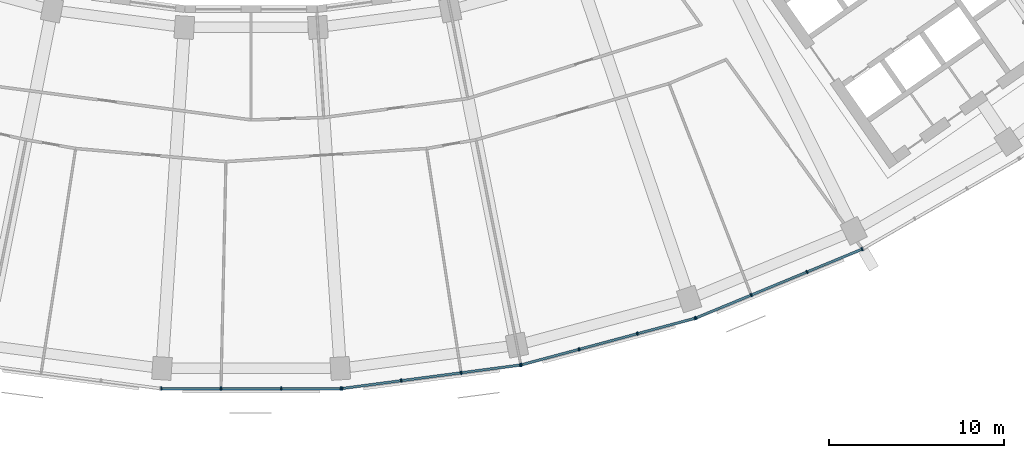
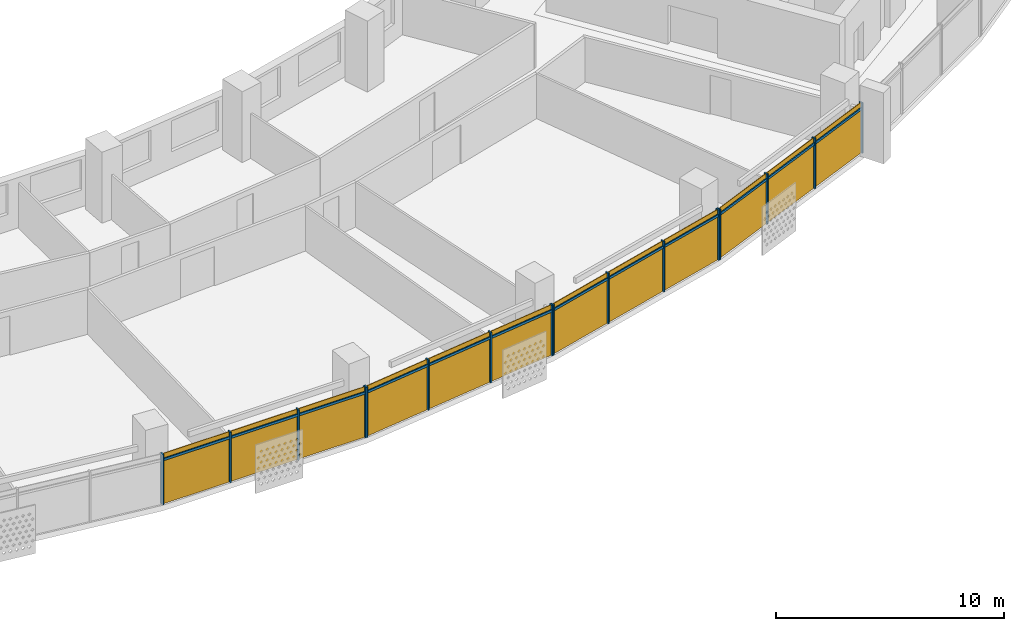
# One storey, part 19 of 27: 28 members, 4 curtain walls.
"""IFC4 building model written with IfcOpenShell, lengths in metres."""

from ifc_helpers import new_model, si_unit, direction, frame, origin, origin_2d, place, context, subcontext, project, spatial, rectangle, extrude, material, material_profile, profile_set, type_object, element, aggregate, save


model = new_model("IFC4")

# Units and contexts
model_context = context("Model", 3, precision=1e-05, world=origin(), true_north=direction((0.0, 1.0)))
body_context = subcontext(model_context, "Body", "Model", "MODEL_VIEW")
ifc_project = project(units=[si_unit("LENGTHUNIT", "METRE"), si_unit("AREAUNIT", "SQUARE_METRE"), si_unit("VOLUMEUNIT", "CUBIC_METRE"), si_unit("PLANEANGLEUNIT", "RADIAN"), si_unit("MASSUNIT", "GRAM", prefix="KILO")], contexts=[model_context])

# Member
ifc_material = material(Name="Aluminium 6063-T6 anodised", Category="aluminium")
ifc_material_profile_1 = material_profile(ifc_material, rectangle(XDim=0.199951171875, YDim=0.070068359375, at=origin_2d()))
ifc_profile_set_1 = profile_set([ifc_material_profile_1], Name="Aluminium 6063-T6 anodised")
member_type_1 = type_object("IfcMemberType", Name="Mullion 70 x 200 aluminium", PredefinedType="MULLION", material=ifc_profile_set_1)
site_placement = place(None, origin())
building_placement = place(site_placement, origin())
storey_placement = place(building_placement, frame((0.0, 0.0, 153.10009765625)))
member_1_placement = place(storey_placement, frame((-5.1318359375, -78.73095703125, 0.0), z_axis=(0.0, 0.0, 1.0), x_axis=(0.0, 1.0, 0.0)))
member_1 = element("IfcMember", 1, at=member_1_placement, type_object=member_type_1, Name="e-cw1-L35-out07/M00", PredefinedType="MULLION", context=body_context, shape_type="SweptSolid", body=[
    extrude(rectangle(XDim=0.199951171875, YDim=0.070068359375, at=origin_2d()), origin(), (0.0, 0.0, 1.0), 2.699951171875),
])

member_2_placement = place(storey_placement, frame((-1.72216796875, -78.73095703125, 0.0), z_axis=(0.0, 0.0, 1.0), x_axis=(0.0, 1.0, 0.0)))
member_2 = element("IfcMember", 2, at=member_2_placement, type_object=member_type_1, Name="e-cw1-L35-out07/M01", PredefinedType="MULLION", context=body_context, shape_type="SweptSolid", body=[
    extrude(rectangle(XDim=0.199951171875, YDim=0.070068359375, at=origin_2d()), origin(), (0.0, 0.0, 1.0), 2.699951171875),
])

member_3_placement = place(storey_placement, frame((1.72216796875, -78.73095703125, 0.0), z_axis=(0.0, 0.0, 1.0), x_axis=(0.0, 1.0, 0.0)))
member_3 = element("IfcMember", 3, at=member_3_placement, type_object=member_type_1, Name="e-cw1-L35-out07/M02", PredefinedType="MULLION", context=body_context, shape_type="SweptSolid", body=[
    extrude(rectangle(XDim=0.199951171875, YDim=0.070068359375, at=origin_2d()), origin(), (0.0, 0.0, 1.0), 2.699951171875),
])

member_4_placement = place(storey_placement, frame((5.1318359375, -78.73095703125, 0.0), z_axis=(0.0, 0.0, 1.0), x_axis=(0.0, 1.0, 0.0)))
member_4 = element("IfcMember", 4, at=member_4_placement, type_object=member_type_1, Name="e-cw1-L35-out07/M03", PredefinedType="MULLION", context=body_context, shape_type="SweptSolid", body=[
    extrude(rectangle(XDim=0.199951171875, YDim=0.070068359375, at=origin_2d()), origin(), (0.0, 0.0, 1.0), 2.699951171875),
])

member_5_placement = place(storey_placement, frame((5.1884765625, -78.72705078125, 0.0), z_axis=(0.0, 0.0, 1.0), x_axis=(-0.13052619222, 0.991444861374, 0.0)))
member_5 = element("IfcMember", 5, at=member_5_placement, type_object=member_type_1, Name="e-cw1-L35-out08/M00", PredefinedType="MULLION", context=body_context, shape_type="SweptSolid", body=[
    extrude(rectangle(XDim=0.199951171875, YDim=0.070068359375, at=origin_2d()), origin(), (0.0, 0.0, 1.0), 2.699951171875),
])

member_6_placement = place(storey_placement, frame((8.56884765625, -78.2822265625, 0.0), z_axis=(0.0, 0.0, 1.0), x_axis=(-0.13052619222, 0.991444861374, 0.0)))
member_6 = element("IfcMember", 6, at=member_6_placement, type_object=member_type_1, Name="e-cw1-L35-out08/M01", PredefinedType="MULLION", context=body_context, shape_type="SweptSolid", body=[
    extrude(rectangle(XDim=0.199951171875, YDim=0.070068359375, at=origin_2d()), origin(), (0.0, 0.0, 1.0), 2.699951171875),
])

member_7_placement = place(storey_placement, frame((11.98388671875, -77.83251953125, 0.0), z_axis=(0.0, 0.0, 1.0), x_axis=(-0.13052619222, 0.991444861374, 0.0)))
member_7 = element("IfcMember", 7, at=member_7_placement, type_object=member_type_1, Name="e-cw1-L35-out08/M02", PredefinedType="MULLION", context=body_context, shape_type="SweptSolid", body=[
    extrude(rectangle(XDim=0.199951171875, YDim=0.070068359375, at=origin_2d()), origin(), (0.0, 0.0, 1.0), 2.699951171875),
])

member_8_placement = place(storey_placement, frame((15.364501953125, -77.387451171875, 0.0), z_axis=(0.0, 0.0, 1.0), x_axis=(-0.13052619222, 0.991444861374, 0.0)))
member_8 = element("IfcMember", 8, at=member_8_placement, type_object=member_type_1, Name="e-cw1-L35-out08/M03", PredefinedType="MULLION", context=body_context, shape_type="SweptSolid", body=[
    extrude(rectangle(XDim=0.199951171875, YDim=0.070068359375, at=origin_2d()), origin(), (0.0, 0.0, 1.0), 2.699951171875),
])

member_9_placement = place(storey_placement, frame((15.420166015625, -77.37646484375, 0.0), z_axis=(0.0, 0.0, 1.0), x_axis=(-0.258819045103, 0.965925826289, 0.0)))
member_9 = element("IfcMember", 9, at=member_9_placement, type_object=member_type_1, Name="e-cw1-L35-out09/M00", PredefinedType="MULLION", context=body_context, shape_type="SweptSolid", body=[
    extrude(rectangle(XDim=0.199951171875, YDim=0.070068359375, at=origin_2d()), origin(), (0.0, 0.0, 1.0), 2.699951171875),
])

member_10_placement = place(storey_placement, frame((18.71337890625, -76.493896484375, 0.0), z_axis=(0.0, 0.0, 1.0), x_axis=(-0.258819045103, 0.965925826289, 0.0)))
member_10 = element("IfcMember", 10, at=member_10_placement, type_object=member_type_1, Name="e-cw1-L35-out09/M01", PredefinedType="MULLION", context=body_context, shape_type="SweptSolid", body=[
    extrude(rectangle(XDim=0.199951171875, YDim=0.070068359375, at=origin_2d()), origin(), (0.0, 0.0, 1.0), 2.699951171875),
])

member_11_placement = place(storey_placement, frame((22.04052734375, -75.602294921875, 0.0), z_axis=(0.0, 0.0, 1.0), x_axis=(-0.258819045103, 0.965925826289, 0.0)))
member_11 = element("IfcMember", 11, at=member_11_placement, type_object=member_type_1, Name="e-cw1-L35-out09/M02", PredefinedType="MULLION", context=body_context, shape_type="SweptSolid", body=[
    extrude(rectangle(XDim=0.199951171875, YDim=0.070068359375, at=origin_2d()), origin(), (0.0, 0.0, 1.0), 2.699951171875),
])

member_12_placement = place(storey_placement, frame((25.333984375, -74.719970703125, 0.0), z_axis=(0.0, 0.0, 1.0), x_axis=(-0.258819045103, 0.965925826289, 0.0)))
member_12 = element("IfcMember", 12, at=member_12_placement, type_object=member_type_1, Name="e-cw1-L35-out09/M03", PredefinedType="MULLION", context=body_context, shape_type="SweptSolid", body=[
    extrude(rectangle(XDim=0.199951171875, YDim=0.070068359375, at=origin_2d()), origin(), (0.0, 0.0, 1.0), 2.699951171875),
])

member_13_placement = place(storey_placement, frame((25.3876953125, -74.70166015625, 0.0), z_axis=(0.0, 0.0, 1.0), x_axis=(-0.382683432365, 0.923879532511, 0.0)))
member_13 = element("IfcMember", 13, at=member_13_placement, type_object=member_type_1, Name="e-cw1-L35-out10/M00", PredefinedType="MULLION", context=body_context, shape_type="SweptSolid", body=[
    extrude(rectangle(XDim=0.199951171875, YDim=0.070068359375, at=origin_2d()), origin(), (0.0, 0.0, 1.0), 2.699951171875),
])

member_14_placement = place(storey_placement, frame((28.537841796875, -73.39697265625, 0.0), z_axis=(0.0, 0.0, 1.0), x_axis=(-0.382683432365, 0.923879532511, 0.0)))
member_14 = element("IfcMember", 14, at=member_14_placement, type_object=member_type_1, Name="e-cw1-L35-out10/M01", PredefinedType="MULLION", context=body_context, shape_type="SweptSolid", body=[
    extrude(rectangle(XDim=0.199951171875, YDim=0.070068359375, at=origin_2d()), origin(), (0.0, 0.0, 1.0), 2.699951171875),
])

member_15_placement = place(storey_placement, frame((31.72021484375, -72.078857421875, 0.0), z_axis=(0.0, 0.0, 1.0), x_axis=(-0.382683432365, 0.923879532511, 0.0)))
member_15 = element("IfcMember", 15, at=member_15_placement, type_object=member_type_1, Name="e-cw1-L35-out10/M02", PredefinedType="MULLION", context=body_context, shape_type="SweptSolid", body=[
    extrude(rectangle(XDim=0.199951171875, YDim=0.070068359375, at=origin_2d()), origin(), (0.0, 0.0, 1.0), 2.699951171875),
])

member_16_placement = place(storey_placement, frame((34.8701171875, -70.77392578125, 0.0), z_axis=(0.0, 0.0, 1.0), x_axis=(-0.382683432365, 0.923879532511, 0.0)))
member_16 = element("IfcMember", 16, at=member_16_placement, type_object=member_type_1, Name="e-cw1-L35-out10/M03", PredefinedType="MULLION", context=body_context, shape_type="SweptSolid", body=[
    extrude(rectangle(XDim=0.199951171875, YDim=0.070068359375, at=origin_2d()), origin(), (0.0, 0.0, 1.0), 2.699951171875),
])

ifc_material_profile_2 = material_profile(ifc_material, rectangle(XDim=0.139892578125, YDim=0.1201171875, at=origin_2d()))
ifc_profile_set_2 = profile_set([ifc_material_profile_2], Name="Aluminium 6063-T6 anodised")
member_type_2 = type_object("IfcMemberType", Name="Transom 120 x 140 aluminium", PredefinedType="USERDEFINED", material=ifc_profile_set_2)
member_17_placement = place(storey_placement, frame((-5.096923828125, -78.73095703125, 2.39990234375), z_axis=(1.0, 0.0, 0.0), x_axis=(0.0, 1.0, 0.0)))
member_17 = element("IfcMember", 17, at=member_17_placement, type_object=member_type_2, Name="e-cw1-L35-out07/T00", ObjectType="TRANSOM", PredefinedType="USERDEFINED", context=body_context, shape_type="SweptSolid", body=[
    extrude(rectangle(XDim=0.139892578125, YDim=0.1201171875, at=origin_2d()), origin(), (0.0, 0.0, 1.0), 3.339599609375),
])

member_18_placement = place(storey_placement, frame((-1.687255859375, -78.73095703125, 2.39990234375), z_axis=(1.0, 0.0, 0.0), x_axis=(0.0, 1.0, 0.0)))
member_18 = element("IfcMember", 18, at=member_18_placement, type_object=member_type_2, Name="e-cw1-L35-out07/T01", ObjectType="TRANSOM", PredefinedType="USERDEFINED", context=body_context, shape_type="SweptSolid", body=[
    extrude(rectangle(XDim=0.139892578125, YDim=0.1201171875, at=origin_2d()), origin(), (0.0, 0.0, 1.0), 3.37451171875),
])

member_19_placement = place(storey_placement, frame((1.75732421875, -78.73095703125, 2.39990234375), z_axis=(1.0, 0.0, 0.0), x_axis=(0.0, 1.0, 0.0)))
member_19 = element("IfcMember", 19, at=member_19_placement, type_object=member_type_2, Name="e-cw1-L35-out07/T02", ObjectType="TRANSOM", PredefinedType="USERDEFINED", context=body_context, shape_type="SweptSolid", body=[
    extrude(rectangle(XDim=0.139892578125, YDim=0.1201171875, at=origin_2d()), origin(), (0.0, 0.0, 1.0), 3.339599609375),
])

member_20_placement = place(storey_placement, frame((5.22314453125, -78.72265625, 2.39990234375), z_axis=(0.991439857731, 0.130564193033, 0.0), x_axis=(-0.130564193033, 0.991439857731, 0.0)))
member_20 = element("IfcMember", 20, at=member_20_placement, type_object=member_type_2, Name="e-cw1-L35-out08/T00", ObjectType="TRANSOM", PredefinedType="USERDEFINED", context=body_context, shape_type="SweptSolid", body=[
    extrude(rectangle(XDim=0.139892578125, YDim=0.1201171875, at=origin_2d()), origin(), (0.0, 0.0, 1.0), 3.339599609375),
])

member_21_placement = place(storey_placement, frame((8.603515625, -78.277587890625, 2.39990234375), z_axis=(0.991446413845, 0.130514399487, 0.0), x_axis=(-0.130514399487, 0.991446413845, 0.0)))
member_21 = element("IfcMember", 21, at=member_21_placement, type_object=member_type_2, Name="e-cw1-L35-out08/T01", ObjectType="TRANSOM", PredefinedType="USERDEFINED", context=body_context, shape_type="SweptSolid", body=[
    extrude(rectangle(XDim=0.139892578125, YDim=0.1201171875, at=origin_2d()), origin(), (0.0, 0.0, 1.0), 3.37451171875),
])

member_22_placement = place(storey_placement, frame((12.018798828125, -77.827880859375, 2.39990234375), z_axis=(0.991448073325, 0.130501792706, 0.0), x_axis=(-0.130501792706, 0.991448073325, 0.0)))
member_22 = element("IfcMember", 22, at=member_22_placement, type_object=member_type_2, Name="e-cw1-L35-out08/T02", ObjectType="TRANSOM", PredefinedType="USERDEFINED", context=body_context, shape_type="SweptSolid", body=[
    extrude(rectangle(XDim=0.139892578125, YDim=0.1201171875, at=origin_2d()), origin(), (0.0, 0.0, 1.0), 3.33935546875),
])

member_23_placement = place(storey_placement, frame((15.453857421875, -77.367431640625, 2.39990234375), z_axis=(0.96591509168, 0.258859103886, 0.0), x_axis=(-0.258859103886, 0.96591509168, 0.0)))
member_23 = element("IfcMember", 23, at=member_23_placement, type_object=member_type_2, Name="e-cw1-L35-out09/T00", ObjectType="TRANSOM", PredefinedType="USERDEFINED", context=body_context, shape_type="SweptSolid", body=[
    extrude(rectangle(XDim=0.139892578125, YDim=0.1201171875, at=origin_2d()), origin(), (0.0, 0.0, 1.0), 3.339599609375),
])

member_24_placement = place(storey_placement, frame((18.747314453125, -76.48486328125, 2.39990234375), z_axis=(0.965932873966, 0.258792741381, 0.0), x_axis=(-0.258792741381, 0.965932873966, 0.0)))
member_24 = element("IfcMember", 24, at=member_24_placement, type_object=member_type_2, Name="e-cw1-L35-out09/T01", ObjectType="TRANSOM", PredefinedType="USERDEFINED", context=body_context, shape_type="SweptSolid", body=[
    extrude(rectangle(XDim=0.139892578125, YDim=0.1201171875, at=origin_2d()), origin(), (0.0, 0.0, 1.0), 3.37451171875),
])

member_25_placement = place(storey_placement, frame((22.074462890625, -75.59326171875, 2.39990234375), z_axis=(0.965933368091, 0.258790897074, 0.0), x_axis=(-0.258790897074, 0.965933368091, 0.0)))
member_25 = element("IfcMember", 25, at=member_25_placement, type_object=member_type_2, Name="e-cw1-L35-out09/T02", ObjectType="TRANSOM", PredefinedType="USERDEFINED", context=body_context, shape_type="SweptSolid", body=[
    extrude(rectangle(XDim=0.139892578125, YDim=0.1201171875, at=origin_2d()), origin(), (0.0, 0.0, 1.0), 3.339599609375),
])

member_26_placement = place(storey_placement, frame((25.420166015625, -74.688232421875, 2.39990234375), z_axis=(0.923890305385, 0.382657423311, 0.0), x_axis=(-0.382657423311, 0.923890305385, 0.0)))
member_26 = element("IfcMember", 26, at=member_26_placement, type_object=member_type_2, Name="e-cw1-L35-out10/T00", ObjectType="TRANSOM", PredefinedType="USERDEFINED", context=body_context, shape_type="SweptSolid", body=[
    extrude(rectangle(XDim=0.139892578125, YDim=0.1201171875, at=origin_2d()), origin(), (0.0, 0.0, 1.0), 3.33935546875),
])

member_27_placement = place(storey_placement, frame((28.570068359375, -73.383544921875, 2.39990234375), z_axis=(0.923866926753, 0.382713863941, 0.0), x_axis=(-0.382713863941, 0.923866926753, 0.0)))
member_27 = element("IfcMember", 27, at=member_27_placement, type_object=member_type_2, Name="e-cw1-L35-out10/T01", ObjectType="TRANSOM", PredefinedType="USERDEFINED", context=body_context, shape_type="SweptSolid", body=[
    extrude(rectangle(XDim=0.139892578125, YDim=0.1201171875, at=origin_2d()), origin(), (0.0, 0.0, 1.0), 3.37451171875),
])

member_28_placement = place(storey_placement, frame((31.75244140625, -72.0654296875, 2.39990234375), z_axis=(0.923875164544, 0.382693977401, 0.0), x_axis=(-0.382693977401, 0.923875164544, 0.0)))
member_28 = element("IfcMember", 28, at=member_28_placement, type_object=member_type_2, Name="e-cw1-L35-out10/T02", ObjectType="TRANSOM", PredefinedType="USERDEFINED", context=body_context, shape_type="SweptSolid", body=[
    extrude(rectangle(XDim=0.139892578125, YDim=0.1201171875, at=origin_2d()), origin(), (0.0, 0.0, 1.0), 3.339599609375),
])

# Site, building, storey
site = spatial("IfcSite", under=ifc_project, at=site_placement, CompositionType="ELEMENT")
building = spatial("IfcBuilding", under=site, at=building_placement, Name="Qamariyya Broadcast Tower", CompositionType="ELEMENT")
storey = spatial("IfcBuildingStorey", under=building, at=storey_placement, Name="L35", CompositionType="ELEMENT", Elevation=153.10009765625)

# Curtain wall
curtain_wall_type = type_object("IfcCurtainWallType", Name="Unitised curtain wall, anodised aluminium", PredefinedType="NOTDEFINED", material=ifc_material)
curtain_wall_1_placement = place(storey_placement, origin())
curtain_wall_1 = element("IfcCurtainWall", 29, at=curtain_wall_1_placement, inside=storey, type_object=curtain_wall_type, Name="e-cw1-L35-out07", PredefinedType="NOTDEFINED", context=body_context, shape_type="SweptSolid", body=[
    extrude(rectangle(XDim=3.339599609375, YDim=0.031982421875, at=origin_2d()), frame((-3.427001953125, -78.73095703125, 0.0), x_axis=(1.0, 0.0, 0.0)), (0.0, 0.0, 1.0), 2.340087890625),
    extrude(rectangle(XDim=3.339599609375, YDim=0.031982421875, at=origin_2d()), frame((-3.427001953125, -78.73095703125, 2.4599609375), x_axis=(1.0, 0.0, 0.0)), (0.0, 0.0, 1.0), 0.239990234375),
    extrude(rectangle(XDim=3.37451171875, YDim=0.031982421875, at=origin_2d()), frame((0.0, -78.73095703125, 0.0), x_axis=(1.0, 0.0, 0.0)), (0.0, 0.0, 1.0), 2.340087890625),
    extrude(rectangle(XDim=3.37451171875, YDim=0.031982421875, at=origin_2d()), frame((0.0, -78.73095703125, 2.4599609375), x_axis=(1.0, 0.0, 0.0)), (0.0, 0.0, 1.0), 0.239990234375),
    extrude(rectangle(XDim=3.339599609375, YDim=0.031982421875, at=origin_2d()), frame((3.427001953125, -78.73095703125, 0.0), x_axis=(1.0, 0.0, 0.0)), (0.0, 0.0, 1.0), 2.340087890625),
    extrude(rectangle(XDim=3.339599609375, YDim=0.031982421875, at=origin_2d()), frame((3.427001953125, -78.73095703125, 2.4599609375), x_axis=(1.0, 0.0, 0.0)), (0.0, 0.0, 1.0), 0.239990234375),
])

aggregate(curtain_wall_1, [member_1, member_2, member_3, member_4, member_17, member_18, member_19])

curtain_wall_2_placement = place(storey_placement, origin())
curtain_wall_2 = element("IfcCurtainWall", 30, at=curtain_wall_2_placement, inside=storey, type_object=curtain_wall_type, Name="e-cw1-L35-out08", PredefinedType="NOTDEFINED", context=body_context, shape_type="SweptSolid", body=[
    extrude(rectangle(XDim=3.339599609375, YDim=0.031982421875, at=origin_2d()), frame((6.878662109375, -78.504638671875, 0.0), x_axis=(0.991444240905, 0.130530905064, 0.0)), (0.0, 0.0, 1.0), 2.340087890625),
    extrude(rectangle(XDim=3.339599609375, YDim=0.031982421875, at=origin_2d()), frame((6.878662109375, -78.504638671875, 2.4599609375), x_axis=(0.991444240905, 0.130530905064, 0.0)), (0.0, 0.0, 1.0), 0.239990234375),
    extrude(rectangle(XDim=3.37451171875, YDim=0.031982421875, at=origin_2d()), frame((10.2763671875, -78.05712890625, 0.0), x_axis=(0.991444240905, 0.130530905064, 0.0)), (0.0, 0.0, 1.0), 2.340087890625),
    extrude(rectangle(XDim=3.37451171875, YDim=0.031982421875, at=origin_2d()), frame((10.2763671875, -78.05712890625, 2.4599609375), x_axis=(0.991444240905, 0.130530905064, 0.0)), (0.0, 0.0, 1.0), 0.239990234375),
    extrude(rectangle(XDim=3.339599609375, YDim=0.031982421875, at=origin_2d()), frame((13.67431640625, -77.60986328125, 0.0), x_axis=(0.991444240905, 0.130530905064, 0.0)), (0.0, 0.0, 1.0), 2.340087890625),
    extrude(rectangle(XDim=3.339599609375, YDim=0.031982421875, at=origin_2d()), frame((13.67431640625, -77.60986328125, 2.4599609375), x_axis=(0.991444240905, 0.130530905064, 0.0)), (0.0, 0.0, 1.0), 0.239990234375),
])

aggregate(curtain_wall_2, [member_5, member_6, member_7, member_8, member_20, member_21, member_22])

curtain_wall_3_placement = place(storey_placement, origin())
curtain_wall_3 = element("IfcCurtainWall", 31, at=curtain_wall_3_placement, inside=storey, type_object=curtain_wall_type, Name="e-cw1-L35-out09", PredefinedType="NOTDEFINED", context=body_context, shape_type="SweptSolid", body=[
    extrude(rectangle(XDim=3.339599609375, YDim=0.031982421875, at=origin_2d()), frame((17.066650390625, -76.935302734375, 0.0), x_axis=(0.965926433062, 0.258816780584, 0.0)), (0.0, 0.0, 1.0), 2.340087890625),
    extrude(rectangle(XDim=3.339599609375, YDim=0.031982421875, at=origin_2d()), frame((17.066650390625, -76.935302734375, 2.4599609375), x_axis=(0.965926433062, 0.258816780584, 0.0)), (0.0, 0.0, 1.0), 0.239990234375),
    extrude(rectangle(XDim=3.37451171875, YDim=0.031982421875, at=origin_2d()), frame((20.376953125, -76.04833984375, 0.0), x_axis=(0.965926433062, 0.258816780584, 0.0)), (0.0, 0.0, 1.0), 2.340087890625),
    extrude(rectangle(XDim=3.37451171875, YDim=0.031982421875, at=origin_2d()), frame((20.376953125, -76.04833984375, 2.4599609375), x_axis=(0.965926433062, 0.258816780584, 0.0)), (0.0, 0.0, 1.0), 0.239990234375),
    extrude(rectangle(XDim=3.339599609375, YDim=0.031982421875, at=origin_2d()), frame((23.6875, -75.1611328125, 0.0), x_axis=(0.965926433062, 0.258816780584, 0.0)), (0.0, 0.0, 1.0), 2.340087890625),
    extrude(rectangle(XDim=3.339599609375, YDim=0.031982421875, at=origin_2d()), frame((23.6875, -75.1611328125, 2.4599609375), x_axis=(0.965926433062, 0.258816780584, 0.0)), (0.0, 0.0, 1.0), 0.239990234375),
])

aggregate(curtain_wall_3, [member_9, member_10, member_11, member_12, member_23, member_24, member_25])

curtain_wall_4_placement = place(storey_placement, origin())
curtain_wall_4 = element("IfcCurtainWall", 32, at=curtain_wall_4_placement, inside=storey, type_object=curtain_wall_type, Name="e-cw1-L35-out10", PredefinedType="NOTDEFINED", context=body_context, shape_type="SweptSolid", body=[
    extrude(rectangle(XDim=3.339599609375, YDim=0.031982421875, at=origin_2d()), frame((26.962890625, -74.04931640625, 0.0), x_axis=(0.923878040314, 0.382687034829, 0.0)), (0.0, 0.0, 1.0), 2.340087890625),
    extrude(rectangle(XDim=3.339599609375, YDim=0.031982421875, at=origin_2d()), frame((26.962890625, -74.04931640625, 2.4599609375), x_axis=(0.923878040314, 0.382687034829, 0.0)), (0.0, 0.0, 1.0), 0.239990234375),
    extrude(rectangle(XDim=3.37451171875, YDim=0.031982421875, at=origin_2d()), frame((30.12890625, -72.73779296875, 0.0), x_axis=(0.923878040314, 0.382687034829, 0.0)), (0.0, 0.0, 1.0), 2.340087890625),
    extrude(rectangle(XDim=3.37451171875, YDim=0.031982421875, at=origin_2d()), frame((30.12890625, -72.73779296875, 2.4599609375), x_axis=(0.923878040314, 0.382687034829, 0.0)), (0.0, 0.0, 1.0), 0.239990234375),
    extrude(rectangle(XDim=3.339599609375, YDim=0.031982421875, at=origin_2d()), frame((33.295166015625, -71.42626953125, 0.0), x_axis=(0.923878040314, 0.382687034829, 0.0)), (0.0, 0.0, 1.0), 2.340087890625),
    extrude(rectangle(XDim=3.339599609375, YDim=0.031982421875, at=origin_2d()), frame((33.295166015625, -71.42626953125, 2.4599609375), x_axis=(0.923878040314, 0.382687034829, 0.0)), (0.0, 0.0, 1.0), 0.239990234375),
])

aggregate(curtain_wall_4, [member_13, member_14, member_15, member_16, member_26, member_27, member_28])

save(model, "model.ifc")
